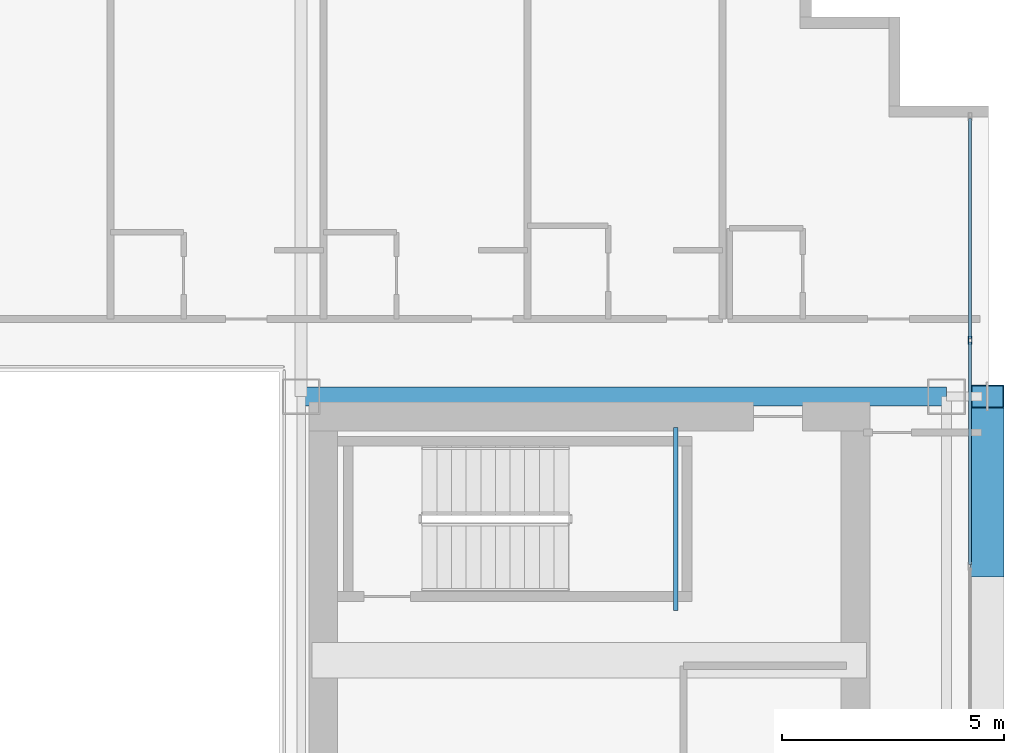
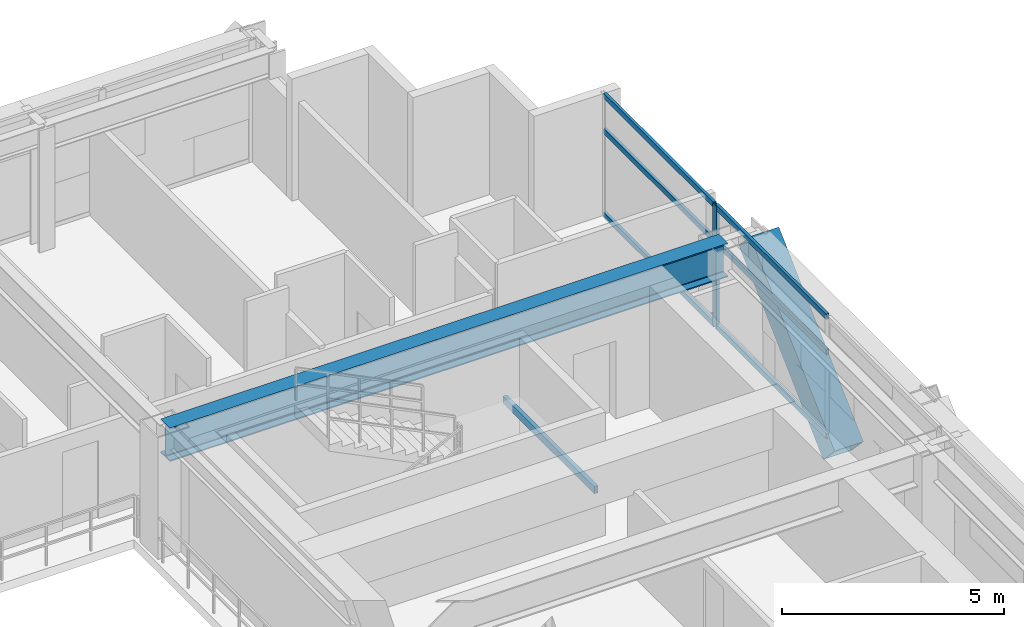
# One storey, part 20 of 35: 8 members, 2 beams, 1 element without a shape of its own.
"""IFC4 building model written with IfcOpenShell, lengths in metres."""

from ifc_helpers import new_model, si_unit, direction, frame, origin, origin_2d, place, context, subcontext, project, spatial, hollow_rectangle, i_section, extrude, source, transform, mapped, material, layer, layer_set, material_profile, profile_set, type_object, element, aggregate, save


model = new_model("IFC4")

# Units and contexts
model_context = context("Model", 3, precision=1e-05, world=origin(), true_north=direction((0.0, 1.0)))
body_context = subcontext(model_context, "Body", "Model", "MODEL_VIEW")
ifc_project = project(units=[si_unit("LENGTHUNIT", "METRE"), si_unit("AREAUNIT", "SQUARE_METRE"), si_unit("VOLUMEUNIT", "CUBIC_METRE"), si_unit("PLANEANGLEUNIT", "RADIAN"), si_unit("MASSUNIT", "GRAM", prefix="KILO")], contexts=[model_context])

# Site, building, storey
site_placement = place(None, origin())
site = spatial("IfcSite", under=ifc_project, at=site_placement, CompositionType="ELEMENT")
building_placement = place(site_placement, origin())
building = spatial("IfcBuilding", under=site, at=building_placement, Name="Ocotamira Hotel", CompositionType="ELEMENT")
storey_placement = place(building_placement, frame((0.0, 0.0, 100.800048828125)))
storey = spatial("IfcBuildingStorey", under=building, at=storey_placement, Name="L24", CompositionType="ELEMENT", Elevation=100.800048828125)

# Beams
ifc_material_1 = material(Name="Steel ASTM A500 Grade C", Category="steel")
ifc_material_profile_1 = material_profile(ifc_material_1, hollow_rectangle(XDim=0.10009765625, YDim=0.199951171875, WallThickness=0.008056640625, at=origin_2d()), Name="HSS200X100X8")
ifc_profile_set_1 = profile_set([ifc_material_profile_1], Name="Steel ASTM A500 Grade C")
beam_type_1 = type_object("IfcBeamType", Name="BM-STLDG-HSS200", PredefinedType="BEAM", material=ifc_profile_set_1)
shared_shape_1 = source(origin(), body_context, "Body", "SweptSolid", [
    extrude(hollow_rectangle(XDim=0.10009765625, YDim=0.199951171875, WallThickness=0.008056640625, at=origin_2d()), origin(), (0.0, 0.0, 1.0), 4.1201171875),
])
beam_1_placement = place(storey_placement, frame((48.949951171875, 32.6298828125, 1.5), z_axis=(0.0, 1.0, 0.0), x_axis=(-1.0, 0.0, 0.0)))
element("IfcBeam", 1, at=beam_1_placement, inside=storey, type_object=beam_type_1, Name="L24 Stair ST-4 Landing Bearer 1", PredefinedType="BEAM", context=body_context, shape_type="MappedRepresentation", body=[
    mapped(shared_shape_1, transform((0.0, 0.0, 0.0), scale=1.0)),
])
ifc_material_2 = material(Name="Steel ASTM A992 Grade 50", Category="steel")
ifc_material_profile_2 = material_profile(ifc_material_2, i_section(OverallWidth=0.41796875, OverallDepth=0.927001953125, WebThickness=0.019287109375, FlangeThickness=0.031982421875, FilletRadius=0.02392578125, at=origin_2d()), Name="W36X231")
ifc_profile_set_2 = profile_set([ifc_material_profile_2], Name="Steel ASTM A992 Grade 50")
beam_type_2 = type_object("IfcBeamType", Name="BM-GIRD-W36X231", PredefinedType="BEAM", material=ifc_profile_set_2)
shared_shape_2 = source(origin(), body_context, "Body", "SweptSolid", [
    extrude(i_section(OverallWidth=0.41796875, OverallDepth=0.927001953125, WebThickness=0.019287109375, FlangeThickness=0.031982421875, FilletRadius=0.02392578125, at=origin_2d()), origin(), (0.0, 0.0, 1.0), 14.550048828125),
])
beam_2_placement = place(storey_placement, frame((40.5, 37.449951171875, 2.896484375), z_axis=(1.0, 0.0, 0.0), x_axis=(0.0, 1.0, 0.0)))
element("IfcBeam", 2, at=beam_2_placement, inside=storey, type_object=beam_type_2, Name="L24 Girder Y37.45 X40.5-55.05", PredefinedType="BEAM", context=body_context, shape_type="MappedRepresentation", body=[
    mapped(shared_shape_2, transform((0.0, 0.0, 0.0), scale=1.0)),
])

# Member
ifc_material_3 = material(Name="Pale-metal coated steel ASTM A913 Grade 65", Category="steel")
ifc_material_profile_3 = material_profile(ifc_material_3, hollow_rectangle(XDim=0.75, YDim=0.75, WallThickness=0.028076171875, at=origin_2d()), Name="BOX750X750X28")
ifc_profile_set_3 = profile_set([ifc_material_profile_3], Name="Pale-metal coated steel ASTM A913 Grade 65")
member_type_1 = type_object("IfcMemberType", Name="MEM-EXO-BOX750", PredefinedType="BRACE", material=ifc_profile_set_3)
shared_shape_3 = source(origin(), body_context, "Body", "SweptSolid", [
    extrude(hollow_rectangle(XDim=0.75, YDim=0.75, WallThickness=0.028076171875, at=origin_2d()), origin(), (0.0, 0.0, 1.0), 5.24658203125),
])
member_1_placement = place(storey_placement, frame((55.969970703125, 33.63330078125, -0.489990234375), z_axis=(0.0, 0.72746596067, 0.686143772154), x_axis=(-1.0, 0.0, 0.0)))
element("IfcMember", 3, at=member_1_placement, inside=storey, type_object=member_type_1, Name="L24 Exoskeleton Diagrid E2.2", PredefinedType="BRACE", context=body_context, shape_type="MappedRepresentation", body=[
    mapped(shared_shape_3, transform((0.0, 0.0, 0.0), scale=1.0)),
])

# Curtain wall, members
ifc_material_4 = material(Name="Anodised pale-metal aluminium and solar glass", Category="aluminium")
ifc_layer = layer(ifc_material_4, 0.179931640625)
ifc_layer_set = layer_set([ifc_layer], Name="Anodised pale-metal aluminium and solar glass")
curtain_wall_type = type_object("IfcCurtainWallType", Name="CW-SYS3-Z2", PredefinedType="NOTDEFINED", material=ifc_layer_set)
curtain_wall_placement = place(storey_placement, origin())
curtain_wall = element("IfcCurtainWall", 4, at=curtain_wall_placement, inside=storey, type_object=curtain_wall_type, Name="L24 Curtain Wall CW-3 CW-L24-E", PredefinedType="NOTDEFINED")
ifc_material_5 = material(Name="Anodised pale-metal aluminium 6063-T6", Category="aluminium")
ifc_material_profile_4 = material_profile(ifc_material_5, hollow_rectangle(XDim=0.074951171875, YDim=0.14990234375, WallThickness=0.006103515625, at=origin_2d()), Name="HSS150X75X6")
ifc_profile_set_4 = profile_set([ifc_material_profile_4], Name="Anodised pale-metal aluminium 6063-T6")
member_type_2 = type_object("IfcMemberType", Name="CWT-150X75", PredefinedType="USERDEFINED", material=ifc_profile_set_4)
shared_shape_4 = source(origin(), body_context, "Body", "SweptSolid", [
    extrude(hollow_rectangle(XDim=0.074951171875, YDim=0.14990234375, WallThickness=0.006103515625, at=origin_2d()), origin(), (0.0, 0.0, 1.0), 4.965576171875),
])
member_2_placement = place(storey_placement, frame((55.580078125, 38.75439453125, 0.037353515625), z_axis=(0.0, 1.0, 0.0), x_axis=(-1.0, 0.0, 0.0)))
member_2 = element("IfcMember", 5, at=member_2_placement, type_object=member_type_2, Name="CW-3 transom 7.1", ObjectType="TRANSOM", PredefinedType="USERDEFINED", context=body_context, shape_type="MappedRepresentation", body=[
    mapped(shared_shape_4, transform((0.0, 0.0, 0.0), scale=1.0)),
])
member_3_placement = place(storey_placement, frame((55.580078125, 38.75439453125, 2.349853515625), z_axis=(0.0, 1.0, 0.0), x_axis=(-1.0, 0.0, 0.0)))
member_3 = element("IfcMember", 6, at=member_3_placement, type_object=member_type_2, Name="CW-3 transom 7.2", ObjectType="TRANSOM", PredefinedType="USERDEFINED", context=body_context, shape_type="MappedRepresentation", body=[
    mapped(shared_shape_4, transform((0.0, 0.0, 0.0), scale=1.0)),
])
member_4_placement = place(storey_placement, frame((55.580078125, 38.75439453125, 3.322509765625), z_axis=(0.0, 1.0, 0.0), x_axis=(-1.0, 0.0, 0.0)))
member_4 = element("IfcMember", 7, at=member_4_placement, type_object=member_type_2, Name="CW-3 transom 7.3", ObjectType="TRANSOM", PredefinedType="USERDEFINED", context=body_context, shape_type="MappedRepresentation", body=[
    mapped(shared_shape_4, transform((0.0, 0.0, 0.0), scale=1.0)),
])
shared_shape_5 = source(origin(), body_context, "Body", "SweptSolid", [
    extrude(hollow_rectangle(XDim=0.074951171875, YDim=0.14990234375, WallThickness=0.006103515625, at=origin_2d()), origin(), (0.0, 0.0, 1.0), 5.005859375),
])
member_5_placement = place(storey_placement, frame((55.580078125, 33.66845703125, 0.037353515625), z_axis=(0.0, 1.0, 0.0), x_axis=(-1.0, 0.0, 0.0)))
member_5 = element("IfcMember", 8, at=member_5_placement, type_object=member_type_2, Name="CW-3 transom 6.1", ObjectType="TRANSOM", PredefinedType="USERDEFINED", context=body_context, shape_type="MappedRepresentation", body=[
    mapped(shared_shape_5, transform((0.0, 0.0, 0.0), scale=1.0)),
])
member_6_placement = place(storey_placement, frame((55.580078125, 33.66845703125, 2.349853515625), z_axis=(0.0, 1.0, 0.0), x_axis=(-1.0, 0.0, 0.0)))
member_6 = element("IfcMember", 9, at=member_6_placement, type_object=member_type_2, Name="CW-3 transom 6.2", ObjectType="TRANSOM", PredefinedType="USERDEFINED", context=body_context, shape_type="MappedRepresentation", body=[
    mapped(shared_shape_5, transform((0.0, 0.0, 0.0), scale=1.0)),
])
member_7_placement = place(storey_placement, frame((55.580078125, 33.66845703125, 3.322509765625), z_axis=(0.0, 1.0, 0.0), x_axis=(-1.0, 0.0, 0.0)))
member_7 = element("IfcMember", 10, at=member_7_placement, type_object=member_type_2, Name="CW-3 transom 6.3", ObjectType="TRANSOM", PredefinedType="USERDEFINED", context=body_context, shape_type="MappedRepresentation", body=[
    mapped(shared_shape_5, transform((0.0, 0.0, 0.0), scale=1.0)),
])
ifc_material_profile_5 = material_profile(ifc_material_5, hollow_rectangle(XDim=0.080078125, YDim=0.179931640625, WallThickness=0.006103515625, at=origin_2d()), Name="HSS180X80X6")
ifc_profile_set_5 = profile_set([ifc_material_profile_5], Name="Anodised pale-metal aluminium 6063-T6")
member_type_3 = type_object("IfcMemberType", Name="CWM-180X75", PredefinedType="MULLION", material=ifc_profile_set_5)
shared_shape_6 = source(origin(), body_context, "Body", "SweptSolid", [
    extrude(hollow_rectangle(XDim=0.080078125, YDim=0.179931640625, WallThickness=0.006103515625, at=origin_2d()), origin(), (0.0, 0.0, 1.0), 3.35986328125),
])
member_8_placement = place(storey_placement, frame((55.580078125, 38.71435546875, 0.0), z_axis=(0.0, 0.0, 1.0), x_axis=(-1.0, 0.0, 0.0)))
member_8 = element("IfcMember", 11, at=member_8_placement, type_object=member_type_3, Name="CW-3 mullion 7", PredefinedType="MULLION", context=body_context, shape_type="MappedRepresentation", body=[
    mapped(shared_shape_6, transform((0.0, 0.0, 0.0), scale=1.0)),
])
aggregate(curtain_wall, [member_8, member_5, member_6, member_7, member_2, member_3, member_4])

save(model, "model.ifc")
